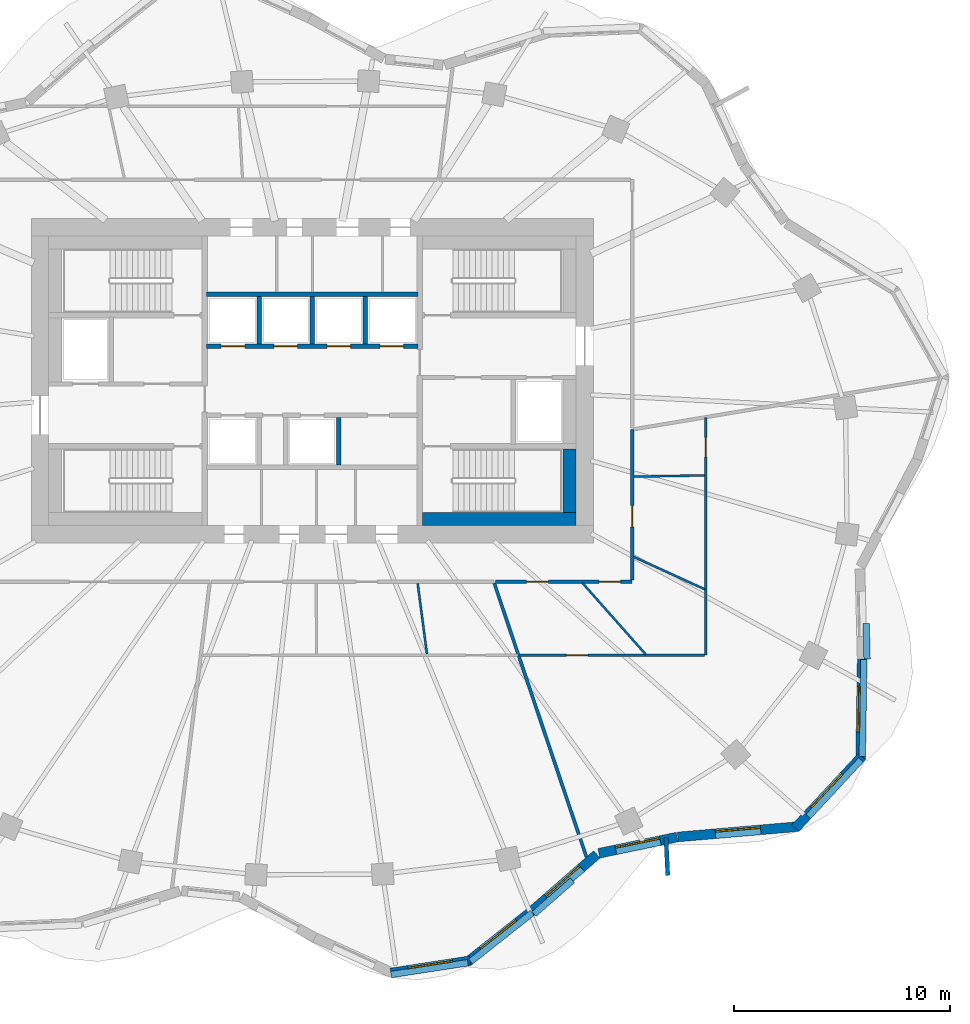
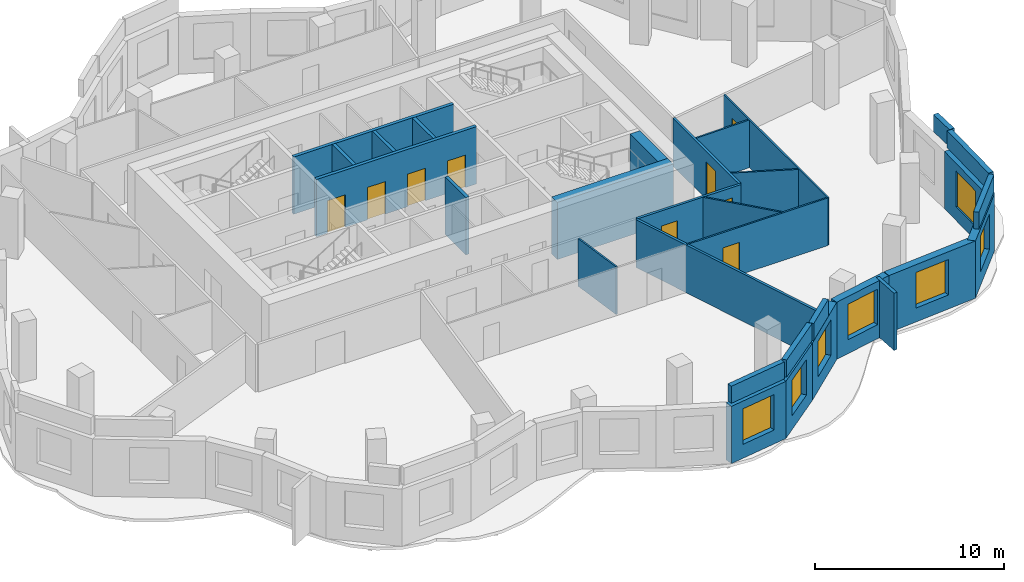
# One storey, part 5 of 9: 31 walls, 9 doors, 7 windows, 16 openings.
"""IFC4 building model written with IfcOpenShell, lengths in metres."""

from ifc_helpers import new_model, si_unit, direction, frame, frame_2d, origin, place, context, subcontext, project, spatial, rectangle, extrude, material, layer, layer_set, type_object, element, fill, save


model = new_model("IFC4")

# Units and contexts
model_context = context("Model", 3, precision=1e-05, world=origin(), true_north=direction((0.0, 1.0)))
body_context = subcontext(model_context, "Body", "Model", "MODEL_VIEW")
ifc_project = project(units=[si_unit("LENGTHUNIT", "METRE"), si_unit("AREAUNIT", "SQUARE_METRE"), si_unit("VOLUMEUNIT", "CUBIC_METRE"), si_unit("PLANEANGLEUNIT", "RADIAN"), si_unit("MASSUNIT", "GRAM", prefix="KILO")], contexts=[model_context])

# Site, building, storey
site_placement = place(None, origin())
site = spatial("IfcSite", under=ifc_project, at=site_placement, CompositionType="ELEMENT")
building_placement = place(site_placement, origin())
building = spatial("IfcBuilding", under=site, at=building_placement, Name="Rubra Terraces Tower", CompositionType="ELEMENT")
storey_placement = place(building_placement, frame((0.0, 0.0, 244.800048828125)))
storey = spatial("IfcBuildingStorey", under=building, at=storey_placement, Name="L60", CompositionType="ELEMENT", Elevation=244.800048828125)

# Wall, opening, window
ifc_material_1 = material(Name="Brick masonry red-brown", Category="masonry")
ifc_layer_1 = layer(ifc_material_1, 0.449951171875)
ifc_layer_set_1 = layer_set([ifc_layer_1], Name="Brick masonry red-brown")
wall_type_1 = type_object("IfcWallType", Name="Brick facade wall 450", PredefinedType="SOLIDWALL", material=ifc_layer_set_1)
wall_1_placement = place(storey_placement, frame((3.628662109375, -22.904541015625, 0.0), z_axis=(0.0, 0.0, 1.0), x_axis=(0.988300084321, 0.152521943772, 0.0)))
wall_1 = element("IfcWall", 1, at=wall_1_placement, inside=storey, type_object=wall_type_1, Name="Facade wall L60 bay 32", PredefinedType="SOLIDWALL", context=body_context, shape_type="SweptSolid", body=[
    extrude(rectangle(XDim=3.71044921875, YDim=0.449951171875, at=frame_2d((1.855224609375, 0.0))), origin(), (0.0, 0.0, 1.0), 3.699951171875),
])
opening_1_placement = place(wall_1_placement, frame((0.80517578125, 0.0, 0.89990234375)))
opening_1 = element("IfcOpeningElement", 2, at=opening_1_placement, cuts=wall_1, Name="Opening W1B", PredefinedType="OPENING", context=body_context, shape_type="SweptSolid", body=[
    extrude(rectangle(XDim=2.10009765625, YDim=2.300048828125, at=frame_2d((1.050048828125, 1.14990234375))), frame((0.0, 0.23486328125, 0.0), z_axis=(0.0, -1.0, 0.0), x_axis=(1.0, 0.0, 0.0)), (0.0, 0.0, 1.0), 0.469970703125),
])
ifc_material_2 = material(Name="Clear glass in aluminium frame", Category="aluminium")
window_type = type_object("IfcWindowType", Name="Fixed deep-set window tall storey 2100 x 2300", PartitioningType="SINGLE_PANEL", PredefinedType="WINDOW", material=ifc_material_2)
window_1_placement = place(opening_1_placement, origin())
window_1 = element("IfcWindow", 3, at=window_1_placement, inside=storey, type_object=window_type, Name="Window L60 bay 32", OverallHeight=2.300048828125, OverallWidth=2.10009765625, PartitioningType="SINGLE_PANEL", PredefinedType="WINDOW", context=body_context, shape_type="SweptSolid", body=[
    extrude(rectangle(XDim=2.10009765625, YDim=2.300048828125, at=frame_2d((1.050048828125, 1.14990234375))), frame((0.0, 0.135009765625, 0.0), z_axis=(0.0, -1.0, 0.0), x_axis=(1.0, 0.0, 0.0)), (0.0, 0.0, 1.0), 0.06005859375),
])
fill(opening_1, window_1)

wall_2_placement = place(storey_placement, frame((7.192626953125, -22.3828125, 0.0), z_axis=(0.0, 0.0, 1.0), x_axis=(0.784803291184, 0.619744942816, 0.0)))
wall_2 = element("IfcWall", 4, at=wall_2_placement, inside=storey, type_object=wall_type_1, Name="Facade wall L60 bay 33", PredefinedType="SOLIDWALL", context=body_context, shape_type="SweptSolid", body=[
    extrude(rectangle(XDim=3.774658203125, YDim=0.449951171875, at=frame_2d((1.88720703125, 0.0))), origin(), (0.0, 0.0, 1.0), 3.699951171875),
])
opening_2_placement = place(wall_2_placement, frame((0.83740234375, 0.0, 0.89990234375)))
opening_2 = element("IfcOpeningElement", 5, at=opening_2_placement, cuts=wall_2, Name="Opening W1B", PredefinedType="OPENING", context=body_context, shape_type="SweptSolid", body=[
    extrude(rectangle(XDim=2.10009765625, YDim=2.300048828125, at=frame_2d((1.050048828125, 1.14990234375))), frame((0.0, 0.23486328125, 0.0), z_axis=(0.0, -1.0, 0.0), x_axis=(1.0, 0.0, 0.0)), (0.0, 0.0, 1.0), 0.469970703125),
])
window_2_placement = place(opening_2_placement, origin())
window_2 = element("IfcWindow", 6, at=window_2_placement, inside=storey, type_object=window_type, Name="Window L60 bay 33", OverallHeight=2.300048828125, OverallWidth=2.10009765625, PartitioningType="SINGLE_PANEL", PredefinedType="WINDOW", context=body_context, shape_type="SweptSolid", body=[
    extrude(rectangle(XDim=2.10009765625, YDim=2.300048828125, at=frame_2d((1.050048828125, 1.14990234375))), frame((0.0, 0.135009765625, 0.0), z_axis=(0.0, -1.0, 0.0), x_axis=(1.0, 0.0, 0.0)), (0.0, 0.0, 1.0), 0.06005859375),
])
fill(opening_2, window_2)

wall_3_placement = place(storey_placement, frame((10.146484375, -20.050537109375, 0.0), z_axis=(0.0, 0.0, 1.0), x_axis=(0.753278140428, 0.657702093013, 0.0)))
wall_3 = element("IfcWall", 7, at=wall_3_placement, inside=storey, type_object=wall_type_1, Name="Facade wall L60 bay 34", PredefinedType="SOLIDWALL", context=body_context, shape_type="SweptSolid", body=[
    extrude(rectangle(XDim=4.0078125, YDim=0.449951171875, at=frame_2d((2.00390625, 0.0))), origin(), (0.0, 0.0, 1.0), 3.699951171875),
])
opening_3_placement = place(wall_3_placement, frame((0.9541015625, 0.0, 0.89990234375)))
opening_3 = element("IfcOpeningElement", 8, at=opening_3_placement, cuts=wall_3, Name="Opening W1B", PredefinedType="OPENING", context=body_context, shape_type="SweptSolid", body=[
    extrude(rectangle(XDim=2.10009765625, YDim=2.300048828125, at=frame_2d((1.050048828125, 1.14990234375))), frame((0.0, 0.23486328125, 0.0), z_axis=(0.0, -1.0, 0.0), x_axis=(1.0, 0.0, 0.0)), (0.0, 0.0, 1.0), 0.469970703125),
])
window_3_placement = place(opening_3_placement, origin())
window_3 = element("IfcWindow", 9, at=window_3_placement, inside=storey, type_object=window_type, Name="Window L60 bay 34", OverallHeight=2.300048828125, OverallWidth=2.10009765625, PartitioningType="SINGLE_PANEL", PredefinedType="WINDOW", context=body_context, shape_type="SweptSolid", body=[
    extrude(rectangle(XDim=2.10009765625, YDim=2.300048828125, at=frame_2d((1.050048828125, 1.14990234375))), frame((0.0, 0.135009765625, 0.0), z_axis=(0.0, -1.0, 0.0), x_axis=(1.0, 0.0, 0.0)), (0.0, 0.0, 1.0), 0.06005859375),
])
fill(opening_3, window_3)

wall_4_placement = place(storey_placement, frame((13.2578125, -17.3671875, 0.0), z_axis=(0.0, 0.0, 1.0), x_axis=(0.97914968674, 0.203140077183, 0.0)))
wall_4 = element("IfcWall", 10, at=wall_4_placement, inside=storey, type_object=wall_type_1, Name="Facade wall L60 bay 35", PredefinedType="SOLIDWALL", context=body_context, shape_type="SweptSolid", body=[
    extrude(rectangle(XDim=3.700439453125, YDim=0.449951171875, at=frame_2d((1.85009765625, 0.0))), origin(), (0.0, 0.0, 1.0), 3.699951171875),
])
opening_4_placement = place(wall_4_placement, frame((0.80029296875, 0.0, 0.89990234375)))
opening_4 = element("IfcOpeningElement", 11, at=opening_4_placement, cuts=wall_4, Name="Opening W1B", PredefinedType="OPENING", context=body_context, shape_type="SweptSolid", body=[
    extrude(rectangle(XDim=2.10009765625, YDim=2.300048828125, at=frame_2d((1.050048828125, 1.14990234375))), frame((0.0, 0.23486328125, 0.0), z_axis=(0.0, -1.0, 0.0), x_axis=(1.0, 0.0, 0.0)), (0.0, 0.0, 1.0), 0.469970703125),
])
window_4_placement = place(opening_4_placement, origin())
window_4 = element("IfcWindow", 12, at=window_4_placement, inside=storey, type_object=window_type, Name="Window L60 bay 35", OverallHeight=2.300048828125, OverallWidth=2.10009765625, PartitioningType="SINGLE_PANEL", PredefinedType="WINDOW", context=body_context, shape_type="SweptSolid", body=[
    extrude(rectangle(XDim=2.10009765625, YDim=2.300048828125, at=frame_2d((1.050048828125, 1.14990234375))), frame((0.0, 0.135009765625, 0.0), z_axis=(0.0, -1.0, 0.0), x_axis=(1.0, 0.0, 0.0)), (0.0, 0.0, 1.0), 0.06005859375),
])
fill(opening_4, window_4)

wall_5_placement = place(storey_placement, frame((16.91015625, -16.610107421875, 0.0), z_axis=(0.0, 0.0, 1.0), x_axis=(0.996333165816, 0.085558299972, 0.0)))
wall_5 = element("IfcWall", 13, at=wall_5_placement, inside=storey, type_object=wall_type_1, Name="Facade wall L60 bay 36", PredefinedType="SOLIDWALL", context=body_context, shape_type="SweptSolid", body=[
    extrude(rectangle(XDim=5.595703125, YDim=0.449951171875, at=frame_2d((2.7978515625, 0.0))), origin(), (0.0, 0.0, 1.0), 3.699951171875),
])
opening_5_placement = place(wall_5_placement, frame((1.747802734375, 0.0, 0.89990234375)))
opening_5 = element("IfcOpeningElement", 14, at=opening_5_placement, cuts=wall_5, Name="Opening W1B", PredefinedType="OPENING", context=body_context, shape_type="SweptSolid", body=[
    extrude(rectangle(XDim=2.10009765625, YDim=2.300048828125, at=frame_2d((1.050048828125, 1.14990234375))), frame((0.0, 0.23486328125, 0.0), z_axis=(0.0, -1.0, 0.0), x_axis=(1.0, 0.0, 0.0)), (0.0, 0.0, 1.0), 0.469970703125),
])
window_5_placement = place(opening_5_placement, origin())
window_5 = element("IfcWindow", 15, at=window_5_placement, inside=storey, type_object=window_type, Name="Window L60 bay 36", OverallHeight=2.300048828125, OverallWidth=2.10009765625, PartitioningType="SINGLE_PANEL", PredefinedType="WINDOW", context=body_context, shape_type="SweptSolid", body=[
    extrude(rectangle(XDim=2.10009765625, YDim=2.300048828125, at=frame_2d((1.050048828125, 1.14990234375))), frame((0.0, 0.135009765625, 0.0), z_axis=(0.0, -1.0, 0.0), x_axis=(1.0, 0.0, 0.0)), (0.0, 0.0, 1.0), 0.06005859375),
])
fill(opening_5, window_5)

wall_6_placement = place(storey_placement, frame((22.34521484375, -16.20166015625, 0.0), z_axis=(0.0, 0.0, 1.0), x_axis=(0.681249161265, 0.732051624051, 0.0)))
wall_6 = element("IfcWall", 16, at=wall_6_placement, inside=storey, type_object=wall_type_1, Name="Facade wall L60 bay 37", PredefinedType="SOLIDWALL", context=body_context, shape_type="SweptSolid", body=[
    extrude(rectangle(XDim=4.52685546875, YDim=0.449951171875, at=frame_2d((2.263427734375, 0.0))), origin(), (0.0, 0.0, 1.0), 3.699951171875),
])
opening_6_placement = place(wall_6_placement, frame((1.21337890625, 0.0, 0.89990234375)))
opening_6 = element("IfcOpeningElement", 17, at=opening_6_placement, cuts=wall_6, Name="Opening W1B", PredefinedType="OPENING", context=body_context, shape_type="SweptSolid", body=[
    extrude(rectangle(XDim=2.10009765625, YDim=2.300048828125, at=frame_2d((1.050048828125, 1.14990234375))), frame((0.0, 0.23486328125, 0.0), z_axis=(0.0, -1.0, 0.0), x_axis=(1.0, 0.0, 0.0)), (0.0, 0.0, 1.0), 0.469970703125),
])
window_6_placement = place(opening_6_placement, origin())
window_6 = element("IfcWindow", 18, at=window_6_placement, inside=storey, type_object=window_type, Name="Window L60 bay 37", OverallHeight=2.300048828125, OverallWidth=2.10009765625, PartitioningType="SINGLE_PANEL", PredefinedType="WINDOW", context=body_context, shape_type="SweptSolid", body=[
    extrude(rectangle(XDim=2.10009765625, YDim=2.300048828125, at=frame_2d((1.050048828125, 1.14990234375))), frame((0.0, 0.135009765625, 0.0), z_axis=(0.0, -1.0, 0.0), x_axis=(1.0, 0.0, 0.0)), (0.0, 0.0, 1.0), 0.06005859375),
])
fill(opening_6, window_6)

wall_7_placement = place(storey_placement, frame((25.369140625, -13.031982421875, 0.0), z_axis=(0.0, 0.0, 1.0), x_axis=(0.015383599855, 0.999881665426, 0.0)))
wall_7 = element("IfcWall", 19, at=wall_7_placement, inside=storey, type_object=wall_type_1, Name="Facade wall L60 bay 38", PredefinedType="SOLIDWALL", context=body_context, shape_type="SweptSolid", body=[
    extrude(rectangle(XDim=4.665771484375, YDim=0.449951171875, at=frame_2d((2.3330078125, 0.0))), origin(), (0.0, 0.0, 1.0), 3.699951171875),
])
opening_7_placement = place(wall_7_placement, frame((1.282958984375, 0.0, 0.89990234375)))
opening_7 = element("IfcOpeningElement", 20, at=opening_7_placement, cuts=wall_7, Name="Opening W1B", PredefinedType="OPENING", context=body_context, shape_type="SweptSolid", body=[
    extrude(rectangle(XDim=2.10009765625, YDim=2.300048828125, at=frame_2d((1.050048828125, 1.14990234375))), frame((0.0, 0.23486328125, 0.0), z_axis=(0.0, -1.0, 0.0), x_axis=(1.0, 0.0, 0.0)), (0.0, 0.0, 1.0), 0.469970703125),
])
window_7_placement = place(opening_7_placement, origin())
window_7 = element("IfcWindow", 21, at=window_7_placement, inside=storey, type_object=window_type, Name="Window L60 bay 38", OverallHeight=2.300048828125, OverallWidth=2.10009765625, PartitioningType="SINGLE_PANEL", PredefinedType="WINDOW", context=body_context, shape_type="SweptSolid", body=[
    extrude(rectangle(XDim=2.10009765625, YDim=2.300048828125, at=frame_2d((1.050048828125, 1.14990234375))), frame((0.0, 0.135009765625, 0.0), z_axis=(0.0, -1.0, 0.0), x_axis=(1.0, 0.0, 0.0)), (0.0, 0.0, 1.0), 0.06005859375),
])
fill(opening_7, window_7)

# Walls
ifc_layer_2 = layer(ifc_material_1, 0.300048828125)
ifc_layer_set_2 = layer_set([ifc_layer_2], Name="Brick masonry red-brown")
wall_type_2 = type_object("IfcWallType", Name="Brick parapet 300", PredefinedType="PARAPET", material=ifc_layer_set_2)
wall_8_placement = place(storey_placement, frame((3.64013671875, -22.978759765625, 3.89990234375), z_axis=(0.0, 0.0, 1.0), x_axis=(0.988299486994, 0.152525814235, 0.0)))
element("IfcWall", 22, at=wall_8_placement, inside=storey, type_object=wall_type_2, Name="Parapet L60 bay 32", PredefinedType="PARAPET", context=body_context, shape_type="SweptSolid", body=[
    extrude(rectangle(XDim=3.6015625, YDim=0.300048828125, at=frame_2d((1.80078125, 0.0))), origin(), (0.0, 0.0, 1.0), 1.10009765625),
])
wall_9_placement = place(storey_placement, frame((7.322509765625, -22.375732421875, 3.89990234375), z_axis=(0.0, 0.0, 1.0), x_axis=(0.784819122577, 0.61972489448, 0.0)))
element("IfcWall", 23, at=wall_9_placement, inside=storey, type_object=wall_type_2, Name="Parapet L60 bay 33", PredefinedType="PARAPET", context=body_context, shape_type="SweptSolid", body=[
    extrude(rectangle(XDim=3.63330078125, YDim=0.300048828125, at=frame_2d((1.816650390625, 0.0))), origin(), (0.0, 0.0, 1.0), 1.10009765625),
])
wall_10_placement = place(storey_placement, frame((10.252197265625, -20.17431640625, 3.89990234375), z_axis=(0.0, 0.0, 1.0), x_axis=(0.753260147018, 0.657722700622, 0.0)))
element("IfcWall", 24, at=wall_10_placement, inside=storey, type_object=wall_type_2, Name="Parapet L60 bay 34", PredefinedType="PARAPET", context=body_context, shape_type="SweptSolid", body=[
    extrude(rectangle(XDim=2.366455078125, YDim=0.300048828125, at=frame_2d((1.18310546875, 0.0))), origin(), (0.0, 0.0, 1.0), 1.10009765625),
])
wall_11_placement = place(storey_placement, frame((22.947509765625, -15.66455078125, 3.89990234375), z_axis=(0.0, 0.0, 1.0), x_axis=(0.681269800001, 0.732032417046, 0.0)))
element("IfcWall", 25, at=wall_11_placement, inside=storey, type_object=wall_type_2, Name="Parapet L60 bay 37", PredefinedType="PARAPET", context=body_context, shape_type="SweptSolid", body=[
    extrude(rectangle(XDim=3.578125, YDim=0.300048828125, at=frame_2d((1.7890625, 0.0))), origin(), (0.0, 0.0, 1.0), 1.10009765625),
])
wall_12_placement = place(storey_placement, frame((25.4462890625, -12.893310546875, 3.89990234375), z_axis=(0.0, 0.0, 1.0), x_axis=(0.015386139974, 0.999881626342, 0.0)))
element("IfcWall", 26, at=wall_12_placement, inside=storey, type_object=wall_type_2, Name="Parapet L60 bay 38", PredefinedType="PARAPET", context=body_context, shape_type="SweptSolid", body=[
    extrude(rectangle(XDim=4.490478515625, YDim=0.300048828125, at=frame_2d((2.2451171875, 0.0))), origin(), (0.0, 0.0, 1.0), 1.10009765625),
])
wall_13_placement = place(storey_placement, frame((25.665771484375, -8.375732421875, 3.89990234375), z_axis=(0.0, 0.0, 1.0), x_axis=(-0.024357650064, 0.999703308429, 0.0)))
element("IfcWall", 27, at=wall_13_placement, inside=storey, type_object=wall_type_2, Name="Parapet L60 bay 39", PredefinedType="PARAPET", context=body_context, shape_type="SweptSolid", body=[
    extrude(rectangle(XDim=1.643798828125, YDim=0.300048828125, at=frame_2d((0.82177734375, 0.0))), origin(), (0.0, 0.0, 1.0), 1.10009765625),
])
ifc_layer_3 = layer(ifc_material_1, 0.199951171875)
ifc_layer_set_3 = layer_set([ifc_layer_3], Name="Brick masonry red-brown")
wall_type_3 = type_object("IfcWallType", Name="Brick wind fin 200", PredefinedType="SOLIDWALL", material=ifc_layer_set_3)
wall_14_placement = place(storey_placement, frame((16.361083984375, -16.635986328125, 0.0), z_axis=(0.0, 0.0, 1.0), x_axis=(0.048552811097, -0.998820616795, 0.0)))
element("IfcWall", 28, at=wall_14_placement, inside=storey, type_object=wall_type_3, Name="Wind fin L60 21", PredefinedType="SOLIDWALL", context=body_context, shape_type="SweptSolid", body=[
    extrude(rectangle(XDim=1.749755859375, YDim=0.199951171875, at=frame_2d((0.875, 0.0))), origin(), (0.0, 0.0, 1.0), 3.699951171875),
])

# Wall, openings, doors
ifc_material_3 = material(Name="Plasterboard on steel stud, mineral wool infill", Category="steel")
ifc_layer_4 = layer(ifc_material_3, 0.14990234375)
ifc_layer_set_4 = layer_set([ifc_layer_4], Name="Plasterboard on steel stud, mineral wool infill")
wall_type_4 = type_object("IfcWallType", Name="CORRIDOR PARTITION 150", PredefinedType="PARTITIONING", material=ifc_layer_set_4)
wall_15_placement = place(storey_placement, frame((8.469482421875, -4.800048828125, 0.0), z_axis=(0.0, 0.0, 1.0), x_axis=(1.0, 0.0, 0.0)))
wall_15 = element("IfcWall", 29, at=wall_15_placement, inside=storey, type_object=wall_type_4, Name="PARTITION", PredefinedType="PARTITIONING", context=body_context, shape_type="SweptSolid", body=[
    extrude(rectangle(XDim=6.33056640625, YDim=0.14990234375, at=frame_2d((3.165283203125, 0.0))), origin(), (0.0, 0.0, 1.0), 3.083984375),
])
opening_8_placement = place(wall_15_placement, frame((1.449951171875, 0.0, 0.0)))
opening_8 = element("IfcOpeningElement", 30, at=opening_8_placement, cuts=wall_15, Name="Opening 60-106", PredefinedType="OPENING", context=body_context, shape_type="SweptSolid", body=[
    extrude(rectangle(XDim=1.0, YDim=2.10009765625, at=frame_2d((0.5, 1.050048828125))), frame((0.0, 0.0849609375, 0.0), z_axis=(0.0, -1.0, 0.0), x_axis=(1.0, 0.0, 0.0)), (0.0, 0.0, 1.0), 0.169921875),
])
opening_9_placement = place(wall_15_placement, frame((4.800048828125, 0.0, 0.0)))
opening_9 = element("IfcOpeningElement", 31, at=opening_9_placement, cuts=wall_15, Name="Opening 60-108", PredefinedType="OPENING", context=body_context, shape_type="SweptSolid", body=[
    extrude(rectangle(XDim=1.0, YDim=2.39990234375, at=frame_2d((0.5, 1.199951171875))), frame((0.0, 0.0849609375, 0.0), z_axis=(0.0, -1.0, 0.0), x_axis=(1.0, 0.0, 0.0)), (0.0, 0.0, 1.0), 0.169921875),
])
ifc_material_4 = material(Name="Glazed aluminium meeting door leaf", Category="aluminium")
door_type_1 = type_object("IfcDoorType", Name="MEETING ROOM GLAZED DOOR 1000 X 2400", OperationType="SINGLE_SWING_LEFT", PredefinedType="DOOR", material=ifc_material_4)
door_1_placement = place(opening_9_placement, origin())
door_1 = element("IfcDoor", 32, at=door_1_placement, inside=storey, type_object=door_type_1, Name="DOOR 60-108", OperationType="SINGLE_SWING_RIGHT", OverallHeight=2.39990234375, OverallWidth=1.0, PredefinedType="DOOR", context=body_context, shape_type="SweptSolid", body=[
    extrude(rectangle(XDim=1.0, YDim=2.39990234375, at=frame_2d((0.5, 1.199951171875))), frame((0.0, 0.02490234375, 0.0), z_axis=(0.0, -1.0, 0.0), x_axis=(1.0, 0.0, 0.0)), (0.0, 0.0, 1.0), 0.050048828125),
])
fill(opening_9, door_1)
ifc_material_5 = material(Name="Painted timber door leaf", Category="wood")
door_type_2 = type_object("IfcDoorType", Name="ROOM DOOR 1000 X 2100", OperationType="SINGLE_SWING_LEFT", PredefinedType="DOOR", material=ifc_material_5)
door_2_placement = place(opening_8_placement, origin())
door_2 = element("IfcDoor", 33, at=door_2_placement, inside=storey, type_object=door_type_2, Name="DOOR 60-106", OperationType="SINGLE_SWING_RIGHT", OverallHeight=2.10009765625, OverallWidth=1.0, PredefinedType="DOOR", context=body_context, shape_type="SweptSolid", body=[
    extrude(rectangle(XDim=1.0, YDim=2.10009765625, at=frame_2d((0.5, 1.050048828125))), frame((0.0, 0.02490234375, 0.0), z_axis=(0.0, -1.0, 0.0), x_axis=(1.0, 0.0, 0.0)), (0.0, 0.0, 1.0), 0.050048828125),
])
fill(opening_8, door_2)

# Wall, opening, door
wall_16_placement = place(storey_placement, frame((14.800048828125, -4.72509765625, 0.0), z_axis=(0.0, 0.0, 1.0), x_axis=(0.0, 1.0, 0.0)))
wall_16 = element("IfcWall", 34, at=wall_16_placement, inside=storey, type_object=wall_type_4, Name="PARTITION", PredefinedType="PARTITIONING", context=body_context, shape_type="SweptSolid", body=[
    extrude(rectangle(XDim=6.965087890625, YDim=0.14990234375, at=frame_2d((3.482421875, 0.0))), origin(), (0.0, 0.0, 1.0), 3.083984375),
])
opening_10_placement = place(wall_16_placement, frame((2.446044921875, 0.0, 0.0)))
opening_10 = element("IfcOpeningElement", 35, at=opening_10_placement, cuts=wall_16, Name="Opening 60-109", PredefinedType="OPENING", context=body_context, shape_type="SweptSolid", body=[
    extrude(rectangle(XDim=1.0, YDim=2.39990234375, at=frame_2d((0.5, 1.199951171875))), frame((0.0, 0.0849609375, 0.0), z_axis=(0.0, -1.0, 0.0), x_axis=(1.0, 0.0, 0.0)), (0.0, 0.0, 1.0), 0.169921875),
])
door_3_placement = place(opening_10_placement, origin())
door_3 = element("IfcDoor", 36, at=door_3_placement, inside=storey, type_object=door_type_1, Name="DOOR 60-109", OperationType="SINGLE_SWING_RIGHT", OverallHeight=2.39990234375, OverallWidth=1.0, PredefinedType="DOOR", context=body_context, shape_type="SweptSolid", body=[
    extrude(rectangle(XDim=1.0, YDim=2.39990234375, at=frame_2d((0.5, 1.199951171875))), frame((0.0, 0.02490234375, 0.0), z_axis=(0.0, -1.0, 0.0), x_axis=(1.0, 0.0, 0.0)), (0.0, 0.0, 1.0), 0.050048828125),
])
fill(opening_10, door_3)

# Walls
ifc_material_6 = material(Name="Concrete C40", Category="concrete")
ifc_layer_5 = layer(ifc_material_6, 0.60009765625)
ifc_layer_set_5 = layer_set([ifc_layer_5], Name="Concrete C40")
wall_type_5 = type_object("IfcWallType", Name="Core lining wall 600 concrete", PredefinedType="SOLIDWALL", material=ifc_layer_set_5)
wall_17_placement = place(storey_placement, frame((11.89990234375, 1.35009765625, 0.0), z_axis=(0.0, 0.0, 1.0), x_axis=(0.0, -1.0, 0.0)))
element("IfcWall", 37, at=wall_17_placement, inside=storey, type_object=wall_type_5, Name="CORE LINING WALL L60", PredefinedType="SOLIDWALL", context=body_context, shape_type="SweptSolid", body=[
    extrude(rectangle(XDim=2.9501953125, YDim=0.60009765625, at=frame_2d((1.47509765625, 0.0))), origin(), (0.0, 0.0, 1.0), 3.699951171875),
])
wall_18_placement = place(storey_placement, frame((12.199951171875, -1.89990234375, 0.0), z_axis=(0.0, 0.0, 1.0), x_axis=(-1.0, 0.0, 0.0)))
element("IfcWall", 38, at=wall_18_placement, inside=storey, type_object=wall_type_5, Name="CORE LINING WALL L60", PredefinedType="SOLIDWALL", context=body_context, shape_type="SweptSolid", body=[
    extrude(rectangle(XDim=7.099853515625, YDim=0.60009765625, at=frame_2d((3.5498046875, 0.0))), origin(), (0.0, 0.0, 1.0), 3.699951171875),
])

# Wall, openings, doors
ifc_material_7 = material(Name="Concrete C30", Category="concrete")
ifc_layer_6 = layer(ifc_material_7, 0.199951171875)
ifc_layer_set_6 = layer_set([ifc_layer_6], Name="Concrete C30")
wall_type_6 = type_object("IfcWallType", Name="Core wall 200 concrete", PredefinedType="SOLIDWALL", material=ifc_layer_set_6)
wall_19_placement = place(storey_placement, frame((-4.89990234375, 6.10009765625, 0.0), z_axis=(0.0, 0.0, 1.0), x_axis=(1.0, 0.0, 0.0)))
wall_19 = element("IfcWall", 39, at=wall_19_placement, inside=storey, type_object=wall_type_6, Name="LIFT SHAFT WALL L60", PredefinedType="SOLIDWALL", context=body_context, shape_type="SweptSolid", body=[
    extrude(rectangle(XDim=9.7998046875, YDim=0.199951171875, at=frame_2d((4.89990234375, 0.0))), origin(), (0.0, 0.0, 1.0), 3.699951171875),
])
opening_11_placement = place(wall_19_placement, frame((0.675048828125, 0.0, 0.0)))
opening_11 = element("IfcOpeningElement", 40, at=opening_11_placement, cuts=wall_19, Name="Opening L60.C17", PredefinedType="OPENING", context=body_context, shape_type="SweptSolid", body=[
    extrude(rectangle(XDim=1.10009765625, YDim=2.10009765625, at=frame_2d((0.550048828125, 1.050048828125))), frame((0.0, 0.10986328125, 0.0), z_axis=(0.0, -1.0, 0.0), x_axis=(1.0, 0.0, 0.0)), (0.0, 0.0, 1.0), 0.219970703125),
])
opening_12_placement = place(wall_19_placement, frame((3.125, 0.0, 0.0)))
opening_12 = element("IfcOpeningElement", 41, at=opening_12_placement, cuts=wall_19, Name="Opening L60.C18", PredefinedType="OPENING", context=body_context, shape_type="SweptSolid", body=[
    extrude(rectangle(XDim=1.10009765625, YDim=2.10009765625, at=frame_2d((0.550048828125, 1.050048828125))), frame((0.0, 0.10986328125, 0.0), z_axis=(0.0, -1.0, 0.0), x_axis=(1.0, 0.0, 0.0)), (0.0, 0.0, 1.0), 0.219970703125),
])
opening_13_placement = place(wall_19_placement, frame((5.574951171875, 0.0, 0.0)))
opening_13 = element("IfcOpeningElement", 42, at=opening_13_placement, cuts=wall_19, Name="Opening L60.C19", PredefinedType="OPENING", context=body_context, shape_type="SweptSolid", body=[
    extrude(rectangle(XDim=1.10009765625, YDim=2.10009765625, at=frame_2d((0.550048828125, 1.050048828125))), frame((0.0, 0.10986328125, 0.0), z_axis=(0.0, -1.0, 0.0), x_axis=(1.0, 0.0, 0.0)), (0.0, 0.0, 1.0), 0.219970703125),
])
opening_14_placement = place(wall_19_placement, frame((8.02490234375, 0.0, 0.0)))
opening_14 = element("IfcOpeningElement", 43, at=opening_14_placement, cuts=wall_19, Name="Opening L60.C20", PredefinedType="OPENING", context=body_context, shape_type="SweptSolid", body=[
    extrude(rectangle(XDim=1.10009765625, YDim=2.10009765625, at=frame_2d((0.550048828125, 1.050048828125))), frame((0.0, 0.10986328125, 0.0), z_axis=(0.0, -1.0, 0.0), x_axis=(1.0, 0.0, 0.0)), (0.0, 0.0, 1.0), 0.219970703125),
])
ifc_material_8 = material(Name="Stainless steel", Category="steel")
door_type_3 = type_object("IfcDoorType", Name="Lift landing door 1100x2100", OperationType="NOTDEFINED", PredefinedType="DOOR", material=ifc_material_8)
door_4_placement = place(opening_11_placement, origin())
door_4 = element("IfcDoor", 44, at=door_4_placement, inside=storey, type_object=door_type_3, Name="Landing door HB3", OperationType="SLIDING_TO_RIGHT", OverallHeight=2.10009765625, OverallWidth=1.10009765625, PredefinedType="DOOR", context=body_context, shape_type="SweptSolid", body=[
    extrude(rectangle(XDim=1.10009765625, YDim=2.10009765625, at=frame_2d((0.550048828125, 1.050048828125))), frame((0.0, 0.02490234375, 0.0), z_axis=(0.0, -1.0, 0.0), x_axis=(1.0, 0.0, 0.0)), (0.0, 0.0, 1.0), 0.050048828125),
])
fill(opening_11, door_4)
door_5_placement = place(opening_12_placement, origin())
door_5 = element("IfcDoor", 45, at=door_5_placement, inside=storey, type_object=door_type_3, Name="Landing door HB4", OperationType="SLIDING_TO_LEFT", OverallHeight=2.10009765625, OverallWidth=1.10009765625, PredefinedType="DOOR", context=body_context, shape_type="SweptSolid", body=[
    extrude(rectangle(XDim=1.10009765625, YDim=2.10009765625, at=frame_2d((0.550048828125, 1.050048828125))), frame((0.0, 0.02490234375, 0.0), z_axis=(0.0, -1.0, 0.0), x_axis=(1.0, 0.0, 0.0)), (0.0, 0.0, 1.0), 0.050048828125),
])
fill(opening_12, door_5)
door_6_placement = place(opening_13_placement, origin())
door_6 = element("IfcDoor", 46, at=door_6_placement, inside=storey, type_object=door_type_3, Name="Landing door HB5", OperationType="SLIDING_TO_RIGHT", OverallHeight=2.10009765625, OverallWidth=1.10009765625, PredefinedType="DOOR", context=body_context, shape_type="SweptSolid", body=[
    extrude(rectangle(XDim=1.10009765625, YDim=2.10009765625, at=frame_2d((0.550048828125, 1.050048828125))), frame((0.0, 0.02490234375, 0.0), z_axis=(0.0, -1.0, 0.0), x_axis=(1.0, 0.0, 0.0)), (0.0, 0.0, 1.0), 0.050048828125),
])
fill(opening_13, door_6)
door_7_placement = place(opening_14_placement, origin())
door_7 = element("IfcDoor", 47, at=door_7_placement, inside=storey, type_object=door_type_3, Name="Landing door HB6", OperationType="SLIDING_TO_LEFT", OverallHeight=2.10009765625, OverallWidth=1.10009765625, PredefinedType="DOOR", context=body_context, shape_type="SweptSolid", body=[
    extrude(rectangle(XDim=1.10009765625, YDim=2.10009765625, at=frame_2d((0.550048828125, 1.050048828125))), frame((0.0, 0.02490234375, 0.0), z_axis=(0.0, -1.0, 0.0), x_axis=(1.0, 0.0, 0.0)), (0.0, 0.0, 1.0), 0.050048828125),
])
fill(opening_14, door_7)

# Walls
wall_20_placement = place(storey_placement, frame((-4.89990234375, 8.5, 0.0), z_axis=(0.0, 0.0, 1.0), x_axis=(1.0, 0.0, 0.0)))
element("IfcWall", 48, at=wall_20_placement, inside=storey, type_object=wall_type_6, Name="LIFT SHAFT WALL L60", PredefinedType="SOLIDWALL", context=body_context, shape_type="SweptSolid", body=[
    extrude(rectangle(XDim=9.7998046875, YDim=0.199951171875, at=frame_2d((4.89990234375, 0.0))), origin(), (0.0, 0.0, 1.0), 3.699951171875),
])
for number, where, z_axis, x_axis, name in (
    (49, (1.22509765625, 0.60009765625, 0.0), (0.0, 0.0, 1.0), (0.0, 1.0, 0.0), "LIFT SHAFT WALL L60"),
    (50, (-2.449951171875, 6.199951171875, 0.0), (0.0, 0.0, 1.0), (0.0, 1.0, 0.0), "LIFT SHAFT WALL L60"),
    (51, (0.0, 6.199951171875, 0.0), (0.0, 0.0, 1.0), (0.0, 1.0, 0.0), "LIFT SHAFT WALL L60"),
    (52, (2.449951171875, 6.199951171875, 0.0), (0.0, 0.0, 1.0), (0.0, 1.0, 0.0), "LIFT SHAFT WALL L60"),
):
    element("IfcWall", number, at=place(storey_placement, frame(where, z_axis=z_axis, x_axis=x_axis)), inside=storey, type_object=wall_type_6, Name=name, PredefinedType="SOLIDWALL", context=body_context, shape_type="SweptSolid", body=[
        extrude(rectangle(XDim=2.199951171875, YDim=0.199951171875, at=frame_2d((1.10009765625, 0.0))), origin(), (0.0, 0.0, 1.0), 3.699951171875),
    ])
ifc_material_9 = material(Name="Plasterboard on steel stud", Category="steel")
ifc_layer_7 = layer(ifc_material_9, 0.10009765625)
ifc_layer_set_7 = layer_set([ifc_layer_7], Name="Plasterboard on steel stud")
wall_type_7 = type_object("IfcWallType", Name="ROOM PARTITION 100", PredefinedType="PARTITIONING", material=ifc_layer_set_7)
wall_21_placement = place(storey_placement, frame((4.873046875, -4.87451171875, 0.0), z_axis=(0.0, 0.0, 1.0), x_axis=(0.13048891715, -0.991449768017, 0.0)))
element("IfcWall", 53, at=wall_21_placement, inside=storey, type_object=wall_type_7, Name="PARTITION", PredefinedType="PARTITIONING", context=body_context, shape_type="SweptSolid", body=[
    extrude(rectangle(XDim=3.30419921875, YDim=0.10009765625, at=frame_2d((1.652099609375, 0.0))), origin(), (0.0, 0.0, 1.0), 3.083984375),
])

# Wall, opening, door
wall_22_placement = place(storey_placement, frame((18.199951171875, 2.790283203125, 0.0), z_axis=(0.0, 0.0, 1.0), x_axis=(0.0, -1.0, 0.0)))
wall_22 = element("IfcWall", 54, at=wall_22_placement, inside=storey, type_object=wall_type_7, Name="PARTITION", PredefinedType="PARTITIONING", context=body_context, shape_type="SweptSolid", body=[
    extrude(rectangle(XDim=10.990234375, YDim=0.10009765625, at=frame_2d((5.4951171875, 0.0))), origin(), (0.0, 0.0, 1.0), 3.083984375),
])
opening_15_placement = place(wall_22_placement, frame((0.9150390625, 0.0, 0.0)))
opening_15 = element("IfcOpeningElement", 55, at=opening_15_placement, cuts=wall_22, Name="Opening 60-110", PredefinedType="OPENING", context=body_context, shape_type="SweptSolid", body=[
    extrude(rectangle(XDim=0.89990234375, YDim=2.10009765625, at=frame_2d((0.449951171875, 1.050048828125))), frame((0.0, 0.06005859375, 0.0), z_axis=(0.0, -1.0, 0.0), x_axis=(1.0, 0.0, 0.0)), (0.0, 0.0, 1.0), 0.1201171875),
])
door_type_4 = type_object("IfcDoorType", Name="ROOM DOOR 900 X 2100", OperationType="SINGLE_SWING_LEFT", PredefinedType="DOOR", material=ifc_material_5)
door_8_placement = place(opening_15_placement, origin())
door_8 = element("IfcDoor", 56, at=door_8_placement, inside=storey, type_object=door_type_4, Name="DOOR 60-110", OperationType="SINGLE_SWING_LEFT", OverallHeight=2.10009765625, OverallWidth=0.89990234375, PredefinedType="DOOR", context=body_context, shape_type="SweptSolid", body=[
    extrude(rectangle(XDim=0.89990234375, YDim=2.10009765625, at=frame_2d((0.449951171875, 1.050048828125))), frame((0.0, 0.02490234375, 0.0), z_axis=(0.0, -1.0, 0.0), x_axis=(1.0, 0.0, 0.0)), (0.0, 0.0, 1.0), 0.050048828125),
])
fill(opening_15, door_8)

wall_23_placement = place(storey_placement, frame((18.14990234375, -8.199951171875, 0.0), z_axis=(0.0, 0.0, 1.0), x_axis=(-1.0, 0.0, 0.0)))
wall_23 = element("IfcWall", 57, at=wall_23_placement, inside=storey, type_object=wall_type_7, Name="PARTITION", PredefinedType="PARTITIONING", context=body_context, shape_type="SweptSolid", body=[
    extrude(rectangle(XDim=8.589599609375, YDim=0.10009765625, at=frame_2d((4.294921875, 0.0))), origin(), (0.0, 0.0, 1.0), 3.083984375),
])
opening_16_placement = place(wall_23_placement, frame((5.40087890625, 0.0, 0.0)))
opening_16 = element("IfcOpeningElement", 58, at=opening_16_placement, cuts=wall_23, Name="Opening 60-107", PredefinedType="OPENING", context=body_context, shape_type="SweptSolid", body=[
    extrude(rectangle(XDim=1.0, YDim=2.10009765625, at=frame_2d((0.5, 1.050048828125))), frame((0.0, 0.06005859375, 0.0), z_axis=(0.0, -1.0, 0.0), x_axis=(1.0, 0.0, 0.0)), (0.0, 0.0, 1.0), 0.1201171875),
])
door_9_placement = place(opening_16_placement, origin())
door_9 = element("IfcDoor", 59, at=door_9_placement, inside=storey, type_object=door_type_2, Name="DOOR 60-107", OperationType="SINGLE_SWING_RIGHT", OverallHeight=2.10009765625, OverallWidth=1.0, PredefinedType="DOOR", context=body_context, shape_type="SweptSolid", body=[
    extrude(rectangle(XDim=1.0, YDim=2.10009765625, at=frame_2d((0.5, 1.050048828125))), frame((0.0, 0.02490234375, 0.0), z_axis=(0.0, -1.0, 0.0), x_axis=(1.0, 0.0, 0.0)), (0.0, 0.0, 1.0), 0.050048828125),
])
fill(opening_16, door_9)

# Walls
wall_24_placement = place(storey_placement, frame((12.494873046875, -4.856201171875, 0.0), z_axis=(0.0, 0.0, 1.0), x_axis=(0.663152041806, -0.748484715574, 0.0)))
element("IfcWall", 60, at=wall_24_placement, inside=storey, type_object=wall_type_7, Name="PARTITION", PredefinedType="PARTITIONING", context=body_context, shape_type="SweptSolid", body=[
    extrude(rectangle(XDim=4.41748046875, YDim=0.10009765625, at=frame_2d((2.208740234375, 0.0))), origin(), (0.0, 0.0, 1.0), 3.083984375),
])
wall_25_placement = place(storey_placement, frame((14.8681640625, -3.649169921875, 0.0), z_axis=(0.0, 0.0, 1.0), x_axis=(0.909566433152, -0.41555854423, 0.0)))
element("IfcWall", 61, at=wall_25_placement, inside=storey, type_object=wall_type_7, Name="PARTITION", PredefinedType="PARTITIONING", context=body_context, shape_type="SweptSolid", body=[
    extrude(rectangle(XDim=3.613037109375, YDim=0.10009765625, at=frame_2d((1.806640625, 0.0))), origin(), (0.0, 0.0, 1.0), 3.083984375),
])
wall_26_placement = place(storey_placement, frame((14.875, 0.061767578125, 0.0), z_axis=(0.0, 0.0, 1.0), x_axis=(0.999854310099, 0.017069228941, 0.0)))
element("IfcWall", 62, at=wall_26_placement, inside=storey, type_object=wall_type_7, Name="PARTITION", PredefinedType="PARTITIONING", context=body_context, shape_type="SweptSolid", body=[
    extrude(rectangle(XDim=3.275390625, YDim=0.10009765625, at=frame_2d((1.6376953125, 0.0))), origin(), (0.0, 0.0, 1.0), 3.083984375),
])
ifc_layer_8 = layer(ifc_material_9, 0.14990234375)
ifc_layer_set_8 = layer_set([ifc_layer_8], Name="Plasterboard on steel stud")
wall_type_8 = type_object("IfcWallType", Name="ROOM PARTITION 150", PredefinedType="PARTITIONING", material=ifc_layer_set_8)
wall_27_placement = place(storey_placement, frame((12.68115234375, -17.533447265625, 0.0), z_axis=(0.0, 0.0, 1.0), x_axis=(-0.319049570706, 0.947738028905, 0.0)))
element("IfcWall", 63, at=wall_27_placement, inside=storey, type_object=wall_type_8, Name="PARTITION", PredefinedType="PARTITIONING", context=body_context, shape_type="SweptSolid", body=[
    extrude(rectangle(XDim=13.360595703125, YDim=0.14990234375, at=frame_2d((6.68017578125, 0.0))), origin(), (0.0, 0.0, 1.0), 3.083984375),
])

save(model, "model.ifc")
